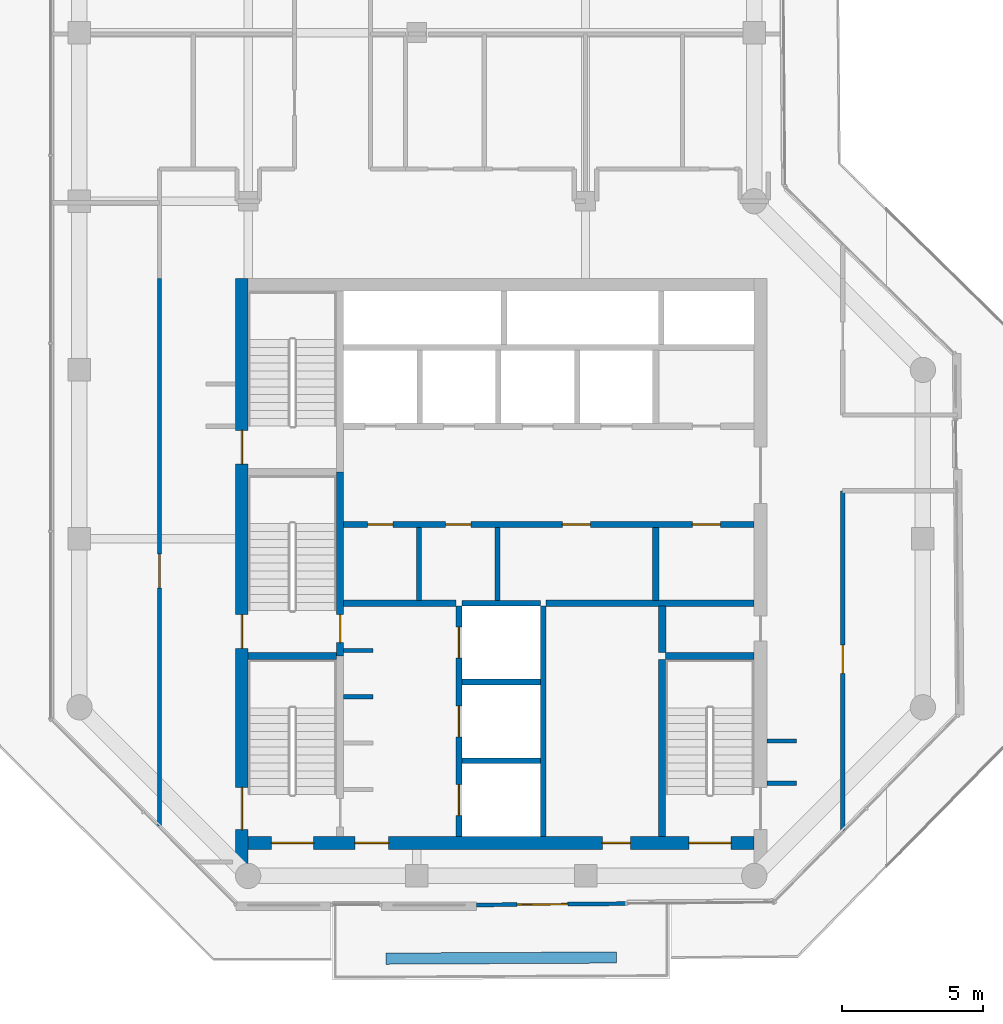
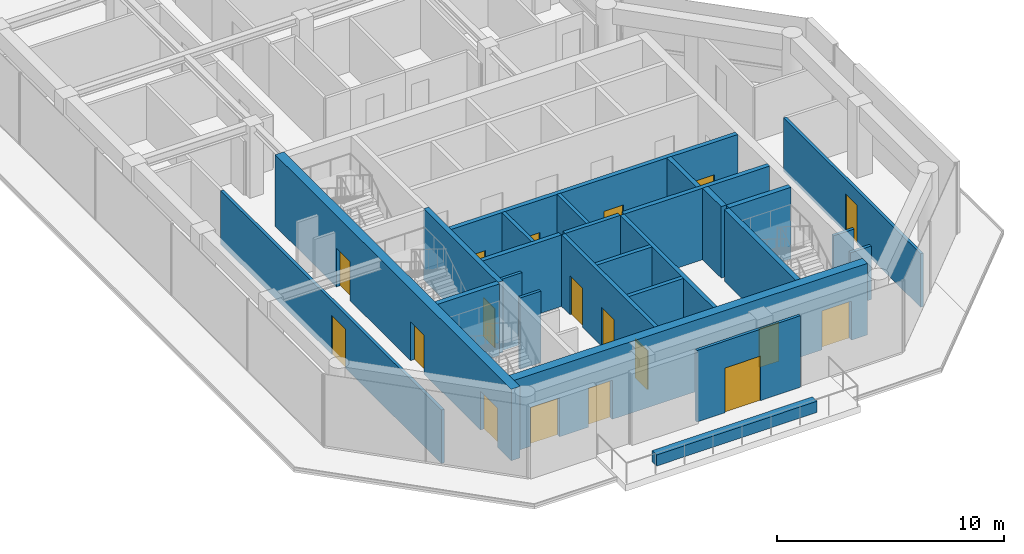
# One storey, part 14 of 19: 26 walls, 18 doors, 18 openings.
"""IFC4 building model written with IfcOpenShell, lengths in metres."""

from ifc_helpers import new_model, si_unit, direction, frame, frame_2d, origin, place, context, subcontext, project, spatial, rectangle, extrude, material, layer, layer_set, type_object, element, fill, save


model = new_model("IFC4")

# Units and contexts
model_context = context("Model", 3, precision=1e-05, world=origin(), true_north=direction((0.0, 1.0)))
body_context = subcontext(model_context, "Body", "Model", "MODEL_VIEW")
ifc_project = project(units=[si_unit("LENGTHUNIT", "METRE"), si_unit("AREAUNIT", "SQUARE_METRE"), si_unit("VOLUMEUNIT", "CUBIC_METRE"), si_unit("PLANEANGLEUNIT", "RADIAN"), si_unit("MASSUNIT", "GRAM", prefix="KILO")], contexts=[model_context])

# Site, building, storey
site_placement = place(None, origin())
site = spatial("IfcSite", under=ifc_project, at=site_placement, CompositionType="ELEMENT")
building_placement = place(site_placement, origin())
building = spatial("IfcBuilding", under=site, at=building_placement, Name="Welwitschia Terrace Campus", CompositionType="ELEMENT")
storey_placement = place(building_placement, frame((0.0, 0.0, 226.39990234375)))
storey = spatial("IfcBuildingStorey", under=building, at=storey_placement, Name="L50", CompositionType="ELEMENT", Elevation=226.39990234375)

# Wall, opening, door
ifc_material_1 = material(Name="Concrete C40/50", Category="concrete")
ifc_layer_1 = layer(ifc_material_1, 0.139892578125)
ifc_layer_set_1 = layer_set([ifc_layer_1], Name="Concrete C40/50")
wall_type_1 = type_object("IfcWallType", Name="Clad wall 140", PredefinedType="SOLIDWALL", material=ifc_layer_set_1)
wall_1_placement = place(storey_placement, frame((14.118896484375, 2.969970703125, 0.0), z_axis=(0.0, 0.0, 1.0), x_axis=(0.999962093881, 0.00870693982, 0.0)))
wall_1 = element("IfcWall", 1, at=wall_1_placement, inside=storey, type_object=wall_type_1, Name="Clad wall L50.terrace door 0", PredefinedType="SOLIDWALL", context=body_context, shape_type="SweptSolid", body=[
    extrude(rectangle(XDim=5.299560546875, YDim=0.139892578125, at=frame_2d((2.64990234375, 0.0))), origin(), (0.0, 0.0, 1.0), 3.85009765625),
])
opening_1_placement = place(wall_1_placement, frame((1.449951171875, 0.0, 0.0)))
opening_1 = element("IfcOpeningElement", 2, at=opening_1_placement, cuts=wall_1, Name="Opening DE3", PredefinedType="OPENING", context=body_context, shape_type="SweptSolid", body=[
    extrude(rectangle(XDim=1.800048828125, YDim=2.39990234375, at=frame_2d((0.89990234375, 1.199951171875))), frame((0.0, 0.079833984375, 0.0), z_axis=(0.0, -1.0, 0.0), x_axis=(1.0, 0.0, 0.0)), (0.0, 0.0, 1.0), 0.159912109375),
])
ifc_material_2 = material(Name="Bronze anodised aluminium and glass", Category="aluminium")
door_type_1 = type_object("IfcDoorType", Name="Terrace door 1800x2400", OperationType="DOUBLE_DOOR_DOUBLE_SWING", PredefinedType="DOOR", material=ifc_material_2)
door_1_placement = place(opening_1_placement, origin())
door_1 = element("IfcDoor", 3, at=door_1_placement, inside=storey, type_object=door_type_1, Name="Door L50:T0", OperationType="DOUBLE_DOOR_DOUBLE_SWING", OverallHeight=2.39990234375, OverallWidth=1.800048828125, PredefinedType="DOOR", context=body_context, shape_type="SweptSolid", body=[
    extrude(rectangle(XDim=1.800048828125, YDim=2.39990234375, at=frame_2d((0.89990234375, 1.199951171875))), frame((0.0, 0.02490234375, 0.0), z_axis=(0.0, -1.0, 0.0), x_axis=(1.0, 0.0, 0.0)), (0.0, 0.0, 1.0), 0.050048828125),
])
fill(opening_1, door_1)

# Walls
ifc_material_3 = material(Name="Concrete C32/40", Category="concrete")
ifc_layer_2 = layer(ifc_material_3, 0.175048828125)
ifc_layer_set_2 = layer_set([ifc_layer_2], Name="Concrete C32/40")
wall_type_2 = type_object("IfcWallType", Name="Core partition 175 Concrete C32/40", PredefinedType="PARTITIONING", material=ifc_layer_set_2)
for number, where, z_axis, x_axis, name in (
    (4, (12.074951171875, 13.800048828125, 0.0), (0.0, 0.0, 1.0), (0.0, 1.0, 0.0), "Core partition"),
    (5, (14.875, 13.800048828125, 0.0), (0.0, 0.0, 1.0), (0.0, 1.0, 0.0), "Core partition"),
):
    element("IfcWall", number, at=place(storey_placement, frame(where, z_axis=z_axis, x_axis=x_axis)), inside=storey, type_object=wall_type_2, Name=name, PredefinedType="PARTITIONING", context=body_context, shape_type="SweptSolid", body=[
        extrude(rectangle(XDim=2.599853515625, YDim=0.175048828125, at=frame_2d((1.2998046875, 0.0))), origin(), (0.0, 0.0, 1.0), 3.85009765625),
    ])
ifc_material_4 = material(Name="Concrete C32/40", Category="concrete")
ifc_layer_3 = layer(ifc_material_4, 0.22509765625)
ifc_layer_set_3 = layer_set([ifc_layer_3], Name="Concrete C32/40")
wall_type_3 = type_object("IfcWallType", Name="Core partition 225 Concrete C32/40", PredefinedType="PARTITIONING", material=ifc_layer_set_3)
wall_2_placement = place(storey_placement, frame((9.39990234375, 13.699951171875, 0.0), z_axis=(0.0, 0.0, 1.0), x_axis=(1.0, 0.0, 0.0)))
element("IfcWall", 6, at=wall_2_placement, inside=storey, type_object=wall_type_3, Name="Core partition", PredefinedType="PARTITIONING", context=body_context, shape_type="SweptSolid", body=[
    extrude(rectangle(XDim=4.0, YDim=0.22509765625, at=frame_2d((2.0, 0.0))), origin(), (0.0, 0.0, 1.0), 3.85009765625),
])
wall_3_placement = place(storey_placement, frame((16.60009765625, 13.699951171875, 0.0), z_axis=(0.0, 0.0, 1.0), x_axis=(1.0, 0.0, 0.0)))
element("IfcWall", 7, at=wall_3_placement, inside=storey, type_object=wall_type_3, Name="Core partition", PredefinedType="PARTITIONING", context=body_context, shape_type="SweptSolid", body=[
    extrude(rectangle(XDim=7.39990234375, YDim=0.22509765625, at=frame_2d((3.699951171875, 0.0))), origin(), (0.0, 0.0, 1.0), 3.85009765625),
])

# Wall, openings, doors
wall_4_placement = place(storey_placement, frame((9.39990234375, 16.5, 0.0), z_axis=(0.0, 0.0, 1.0), x_axis=(1.0, 0.0, 0.0)))
wall_4 = element("IfcWall", 8, at=wall_4_placement, inside=storey, type_object=wall_type_3, Name="Core partition", PredefinedType="PARTITIONING", context=body_context, shape_type="SweptSolid", body=[
    extrude(rectangle(XDim=14.60009765625, YDim=0.22509765625, at=frame_2d((7.300048828125, 0.0))), origin(), (0.0, 0.0, 1.0), 3.85009765625),
])
opening_2_placement = place(wall_4_placement, frame((0.85009765625, 0.0, 0.0)))
opening_2 = element("IfcOpeningElement", 9, at=opening_2_placement, cuts=wall_4, Name="Opening DR09", PredefinedType="OPENING", context=body_context, shape_type="SweptSolid", body=[
    extrude(rectangle(XDim=0.89990234375, YDim=2.10009765625, at=frame_2d((0.449951171875, 1.050048828125))), frame((0.0, 0.12255859375, 0.0), z_axis=(0.0, -1.0, 0.0), x_axis=(1.0, 0.0, 0.0)), (0.0, 0.0, 1.0), 0.2451171875),
])
opening_3_placement = place(wall_4_placement, frame((3.625, 0.0, 0.0)))
opening_3 = element("IfcOpeningElement", 10, at=opening_3_placement, cuts=wall_4, Name="Opening DR09", PredefinedType="OPENING", context=body_context, shape_type="SweptSolid", body=[
    extrude(rectangle(XDim=0.89990234375, YDim=2.10009765625, at=frame_2d((0.449951171875, 1.050048828125))), frame((0.0, 0.12255859375, 0.0), z_axis=(0.0, -1.0, 0.0), x_axis=(1.0, 0.0, 0.0)), (0.0, 0.0, 1.0), 0.2451171875),
])
opening_4_placement = place(wall_4_placement, frame((7.77490234375, 0.0, 0.0)))
opening_4 = element("IfcOpeningElement", 11, at=opening_4_placement, cuts=wall_4, Name="Opening DR10", PredefinedType="OPENING", context=body_context, shape_type="SweptSolid", body=[
    extrude(rectangle(XDim=1.0, YDim=2.10009765625, at=frame_2d((0.5, 1.050048828125))), frame((0.0, 0.12255859375, 0.0), z_axis=(0.0, -1.0, 0.0), x_axis=(1.0, 0.0, 0.0)), (0.0, 0.0, 1.0), 0.2451171875),
])
opening_5_placement = place(wall_4_placement, frame((12.39990234375, 0.0, 0.0)))
opening_5 = element("IfcOpeningElement", 12, at=opening_5_placement, cuts=wall_4, Name="Opening DR10", PredefinedType="OPENING", context=body_context, shape_type="SweptSolid", body=[
    extrude(rectangle(XDim=1.0, YDim=2.10009765625, at=frame_2d((0.5, 1.050048828125))), frame((0.0, 0.12255859375, 0.0), z_axis=(0.0, -1.0, 0.0), x_axis=(1.0, 0.0, 0.0)), (0.0, 0.0, 1.0), 0.2451171875),
])
ifc_material_5 = material(Name="Steel S275", Category="steel")
door_type_2 = type_object("IfcDoorType", Name="Core door DR09", OperationType="SINGLE_SWING_LEFT", PredefinedType="DOOR", material=ifc_material_5)
door_2_placement = place(opening_2_placement, origin())
door_2 = element("IfcDoor", 13, at=door_2_placement, inside=storey, type_object=door_type_2, Name="Door BAYL1-D", OperationType="SINGLE_SWING_LEFT", OverallHeight=2.10009765625, OverallWidth=0.89990234375, PredefinedType="DOOR", context=body_context, shape_type="SweptSolid", body=[
    extrude(rectangle(XDim=0.89990234375, YDim=2.10009765625, at=frame_2d((0.449951171875, 1.050048828125))), frame((0.0, 0.02490234375, 0.0), z_axis=(0.0, -1.0, 0.0), x_axis=(1.0, 0.0, 0.0)), (0.0, 0.0, 1.0), 0.050048828125),
])
fill(opening_2, door_2)
door_3_placement = place(opening_3_placement, origin())
door_3 = element("IfcDoor", 14, at=door_3_placement, inside=storey, type_object=door_type_2, Name="Door BAYL2-D", OperationType="SINGLE_SWING_LEFT", OverallHeight=2.10009765625, OverallWidth=0.89990234375, PredefinedType="DOOR", context=body_context, shape_type="SweptSolid", body=[
    extrude(rectangle(XDim=0.89990234375, YDim=2.10009765625, at=frame_2d((0.449951171875, 1.050048828125))), frame((0.0, 0.02490234375, 0.0), z_axis=(0.0, -1.0, 0.0), x_axis=(1.0, 0.0, 0.0)), (0.0, 0.0, 1.0), 0.050048828125),
])
fill(opening_3, door_3)
ifc_material_6 = material(Name="Steel S275", Category="steel")
door_type_3 = type_object("IfcDoorType", Name="Core door DR10", OperationType="SINGLE_SWING_LEFT", PredefinedType="DOOR", material=ifc_material_6)
door_4_placement = place(opening_4_placement, origin())
door_4 = element("IfcDoor", 15, at=door_4_placement, inside=storey, type_object=door_type_3, Name="Door BAYL3-D", OperationType="SINGLE_SWING_RIGHT", OverallHeight=2.10009765625, OverallWidth=1.0, PredefinedType="DOOR", context=body_context, shape_type="SweptSolid", body=[
    extrude(rectangle(XDim=1.0, YDim=2.10009765625, at=frame_2d((0.5, 1.050048828125))), frame((0.0, 0.02490234375, 0.0), z_axis=(0.0, -1.0, 0.0), x_axis=(1.0, 0.0, 0.0)), (0.0, 0.0, 1.0), 0.050048828125),
])
fill(opening_4, door_4)
door_5_placement = place(opening_5_placement, origin())
door_5 = element("IfcDoor", 16, at=door_5_placement, inside=storey, type_object=door_type_3, Name="Door EL-D", OperationType="SINGLE_SWING_RIGHT", OverallHeight=2.10009765625, OverallWidth=1.0, PredefinedType="DOOR", context=body_context, shape_type="SweptSolid", body=[
    extrude(rectangle(XDim=1.0, YDim=2.10009765625, at=frame_2d((0.5, 1.050048828125))), frame((0.0, 0.02490234375, 0.0), z_axis=(0.0, -1.0, 0.0), x_axis=(1.0, 0.0, 0.0)), (0.0, 0.0, 1.0), 0.050048828125),
])
fill(opening_5, door_5)

# Walls
wall_5_placement = place(storey_placement, frame((20.5, 13.800048828125, 0.0), z_axis=(0.0, 0.0, 1.0), x_axis=(0.0, 1.0, 0.0)))
element("IfcWall", 17, at=wall_5_placement, inside=storey, type_object=wall_type_3, Name="Core partition", PredefinedType="PARTITIONING", context=body_context, shape_type="SweptSolid", body=[
    extrude(rectangle(XDim=2.599853515625, YDim=0.22509765625, at=frame_2d((1.2998046875, 0.0))), origin(), (0.0, 0.0, 1.0), 3.85009765625),
])
ifc_material_7 = material(Name="Concrete C32/40", Category="concrete")
ifc_layer_4 = layer(ifc_material_7, 0.27490234375)
ifc_layer_set_4 = layer_set([ifc_layer_4], Name="Concrete C32/40")
wall_type_4 = type_object("IfcWallType", Name="Core partition 275 Concrete C32/40", PredefinedType="PARTITIONING", material=ifc_layer_set_4)
wall_6_placement = place(storey_placement, frame((20.72509765625, 11.949951171875, 0.0), z_axis=(0.0, 0.0, 1.0), x_axis=(0.0, 1.0, 0.0)))
element("IfcWall", 18, at=wall_6_placement, inside=storey, type_object=wall_type_4, Name="Core partition", PredefinedType="PARTITIONING", context=body_context, shape_type="SweptSolid", body=[
    extrude(rectangle(XDim=1.650146484375, YDim=0.27490234375, at=frame_2d((0.8251953125, 0.0))), origin(), (0.0, 0.0, 1.0), 3.85009765625),
])
ifc_material_8 = material(Name="Concrete C50/60", Category="concrete")
ifc_layer_5 = layer(ifc_material_8, 0.14990234375)
ifc_layer_set_5 = layer_set([ifc_layer_5], Name="Concrete C50/60")
wall_type_5 = type_object("IfcWallType", Name="Core wall 150 Concrete C50/60", PredefinedType="SHEAR", material=ifc_layer_set_5)
for number, where, z_axis, x_axis, name in (
    (19, (9.39990234375, 10.375, 0.0), (0.0, 0.0, 1.0), (1.0, 0.0, 0.0), "Core wall"),
    (20, (9.39990234375, 12.02490234375, 0.0), (0.0, 0.0, 1.0), (1.0, 0.0, 0.0), "Core wall"),
):
    element("IfcWall", number, at=place(storey_placement, frame(where, z_axis=z_axis, x_axis=x_axis)), inside=storey, type_object=wall_type_5, Name=name, PredefinedType="SHEAR", context=body_context, shape_type="SweptSolid", body=[
        extrude(rectangle(XDim=1.050048828125, YDim=0.14990234375, at=frame_2d((0.52490234375, 0.0))), origin(), (0.0, 0.0, 1.0), 3.85009765625),
    ])
ifc_material_9 = material(Name="Concrete C50/60", Category="concrete")
ifc_layer_6 = layer(ifc_material_9, 0.199951171875)
ifc_layer_set_6 = layer_set([ifc_layer_6], Name="Concrete C50/60")
wall_type_6 = type_object("IfcWallType", Name="Core wall 200 Concrete C50/60", PredefinedType="SHEAR", material=ifc_layer_set_6)
for number, where, z_axis, x_axis, name in (
    (21, (13.60009765625, 8.10009765625, 0.0), (0.0, 0.0, 1.0), (1.0, 0.0, 0.0), "Core wall"),
    (22, (13.60009765625, 10.89990234375, 0.0), (0.0, 0.0, 1.0), (1.0, 0.0, 0.0), "Core wall"),
    (23, (13.60009765625, 13.699951171875, 0.0), (0.0, 0.0, 1.0), (1.0, 0.0, 0.0), "Core wall"),
):
    element("IfcWall", number, at=place(storey_placement, frame(where, z_axis=z_axis, x_axis=x_axis)), inside=storey, type_object=wall_type_6, Name=name, PredefinedType="SHEAR", context=body_context, shape_type="SweptSolid", body=[
        extrude(rectangle(XDim=2.7998046875, YDim=0.199951171875, at=frame_2d((1.39990234375, 0.0))), origin(), (0.0, 0.0, 1.0), 3.85009765625),
    ])

# Wall, openings, doors
wall_7_placement = place(storey_placement, frame((13.5, 5.39990234375, 0.0), z_axis=(0.0, 0.0, 1.0), x_axis=(0.0, 1.0, 0.0)))
wall_7 = element("IfcWall", 24, at=wall_7_placement, inside=storey, type_object=wall_type_6, Name="Core wall", PredefinedType="SHEAR", context=body_context, shape_type="SweptSolid", body=[
    extrude(rectangle(XDim=8.2001953125, YDim=0.199951171875, at=frame_2d((4.10009765625, 0.0))), origin(), (0.0, 0.0, 1.0), 3.85009765625),
])
opening_6_placement = place(wall_7_placement, frame((0.75, 0.0, 0.0)))
opening_6 = element("IfcOpeningElement", 25, at=opening_6_placement, cuts=wall_7, Name="Opening LD", PredefinedType="OPENING", context=body_context, shape_type="SweptSolid", body=[
    extrude(rectangle(XDim=1.10009765625, YDim=2.10009765625, at=frame_2d((0.550048828125, 1.050048828125))), frame((0.0, 0.10986328125, 0.0), z_axis=(0.0, -1.0, 0.0), x_axis=(1.0, 0.0, 0.0)), (0.0, 0.0, 1.0), 0.219970703125),
])
opening_7_placement = place(wall_7_placement, frame((3.550048828125, 0.0, 0.0)))
opening_7 = element("IfcOpeningElement", 26, at=opening_7_placement, cuts=wall_7, Name="Opening LD", PredefinedType="OPENING", context=body_context, shape_type="SweptSolid", body=[
    extrude(rectangle(XDim=1.10009765625, YDim=2.10009765625, at=frame_2d((0.550048828125, 1.050048828125))), frame((0.0, 0.10986328125, 0.0), z_axis=(0.0, -1.0, 0.0), x_axis=(1.0, 0.0, 0.0)), (0.0, 0.0, 1.0), 0.219970703125),
])
opening_8_placement = place(wall_7_placement, frame((6.35009765625, 0.0, 0.0)))
opening_8 = element("IfcOpeningElement", 27, at=opening_8_placement, cuts=wall_7, Name="Opening LD", PredefinedType="OPENING", context=body_context, shape_type="SweptSolid", body=[
    extrude(rectangle(XDim=1.10009765625, YDim=2.10009765625, at=frame_2d((0.550048828125, 1.050048828125))), frame((0.0, 0.10986328125, 0.0), z_axis=(0.0, -1.0, 0.0), x_axis=(1.0, 0.0, 0.0)), (0.0, 0.0, 1.0), 0.219970703125),
])
ifc_material_10 = material(Name="Stainless steel 304", Category="steel")
door_type_4 = type_object("IfcDoorType", Name="Lift landing door", OperationType="DOUBLE_DOOR_SLIDING", PredefinedType="DOOR", material=ifc_material_10)
door_6_placement = place(opening_6_placement, origin())
door_6 = element("IfcDoor", 28, at=door_6_placement, inside=storey, type_object=door_type_4, Name="Landing door FF1", OperationType="DOUBLE_DOOR_SLIDING", OverallHeight=2.10009765625, OverallWidth=1.10009765625, PredefinedType="DOOR", context=body_context, shape_type="SweptSolid", body=[
    extrude(rectangle(XDim=1.10009765625, YDim=2.10009765625, at=frame_2d((0.550048828125, 1.050048828125))), frame((0.0, 0.02490234375, 0.0), z_axis=(0.0, -1.0, 0.0), x_axis=(1.0, 0.0, 0.0)), (0.0, 0.0, 1.0), 0.050048828125),
])
fill(opening_6, door_6)
door_7_placement = place(opening_7_placement, origin())
door_7 = element("IfcDoor", 29, at=door_7_placement, inside=storey, type_object=door_type_4, Name="Landing door FF2", OperationType="DOUBLE_DOOR_SLIDING", OverallHeight=2.10009765625, OverallWidth=1.10009765625, PredefinedType="DOOR", context=body_context, shape_type="SweptSolid", body=[
    extrude(rectangle(XDim=1.10009765625, YDim=2.10009765625, at=frame_2d((0.550048828125, 1.050048828125))), frame((0.0, 0.02490234375, 0.0), z_axis=(0.0, -1.0, 0.0), x_axis=(1.0, 0.0, 0.0)), (0.0, 0.0, 1.0), 0.050048828125),
])
fill(opening_7, door_7)
door_8_placement = place(opening_8_placement, origin())
door_8 = element("IfcDoor", 30, at=door_8_placement, inside=storey, type_object=door_type_4, Name="Landing door SV1", OperationType="DOUBLE_DOOR_SLIDING", OverallHeight=2.10009765625, OverallWidth=1.10009765625, PredefinedType="DOOR", context=body_context, shape_type="SweptSolid", body=[
    extrude(rectangle(XDim=1.10009765625, YDim=2.10009765625, at=frame_2d((0.550048828125, 1.050048828125))), frame((0.0, 0.02490234375, 0.0), z_axis=(0.0, -1.0, 0.0), x_axis=(1.0, 0.0, 0.0)), (0.0, 0.0, 1.0), 0.050048828125),
])
fill(opening_8, door_8)

# Walls
wall_8_placement = place(storey_placement, frame((16.5, 5.39990234375, 0.0), z_axis=(0.0, 0.0, 1.0), x_axis=(0.0, 1.0, 0.0)))
element("IfcWall", 31, at=wall_8_placement, inside=storey, type_object=wall_type_6, Name="Core wall", PredefinedType="SHEAR", context=body_context, shape_type="SweptSolid", body=[
    extrude(rectangle(XDim=8.2001953125, YDim=0.199951171875, at=frame_2d((4.10009765625, 0.0))), origin(), (0.0, 0.0, 1.0), 3.85009765625),
])
ifc_material_11 = material(Name="Concrete C50/60", Category="concrete")
ifc_layer_7 = layer(ifc_material_11, 0.25)
ifc_layer_set_7 = layer_set([ifc_layer_7], Name="Concrete C50/60")
wall_type_7 = type_object("IfcWallType", Name="Core wall 250 Concrete C50/60", PredefinedType="SHEAR", material=ifc_layer_set_7)
for number, where, z_axis, x_axis, name in (
    (32, (6.0, 11.824951171875, 0.0), (0.0, 0.0, 1.0), (1.0, 0.0, 0.0), "Core wall"),
    (33, (20.85009765625, 11.824951171875, 0.0), (0.0, 0.0, 1.0), (1.0, 0.0, 0.0), "Core wall"),
):
    element("IfcWall", number, at=place(storey_placement, frame(where, z_axis=z_axis, x_axis=x_axis)), inside=storey, type_object=wall_type_7, Name=name, PredefinedType="SHEAR", context=body_context, shape_type="SweptSolid", body=[
        extrude(rectangle(XDim=3.14990234375, YDim=0.25, at=frame_2d((1.574951171875, 0.0))), origin(), (0.0, 0.0, 1.0), 3.85009765625),
    ])

# Wall, opening, door
wall_9_placement = place(storey_placement, frame((9.27490234375, 18.375, 0.0), z_axis=(0.0, 0.0, 1.0), x_axis=(0.0, -1.0, 0.0)))
wall_9 = element("IfcWall", 34, at=wall_9_placement, inside=storey, type_object=wall_type_7, Name="Core wall", PredefinedType="SHEAR", context=body_context, shape_type="SweptSolid", body=[
    extrude(rectangle(XDim=6.550048828125, YDim=0.25, at=frame_2d((3.27490234375, 0.0))), origin(), (0.0, 0.0, 1.0), 3.85009765625),
])
opening_9_placement = place(wall_9_placement, frame((5.074951171875, 0.0, 0.0)))
opening_9 = element("IfcOpeningElement", 35, at=opening_9_placement, cuts=wall_9, Name="Opening DS10", PredefinedType="OPENING", context=body_context, shape_type="SweptSolid", body=[
    extrude(rectangle(XDim=1.0, YDim=2.10009765625, at=frame_2d((0.5, 1.050048828125))), frame((0.0, 0.135009765625, 0.0), z_axis=(0.0, -1.0, 0.0), x_axis=(1.0, 0.0, 0.0)), (0.0, 0.0, 1.0), 0.27001953125),
])
ifc_material_12 = material(Name="Steel S275", Category="steel")
door_type_5 = type_object("IfcDoorType", Name="Core door DS10", OperationType="SINGLE_SWING_LEFT", PredefinedType="DOOR", material=ifc_material_12)
door_9_placement = place(opening_9_placement, origin())
door_9 = element("IfcDoor", 36, at=door_9_placement, inside=storey, type_object=door_type_5, Name="Door S3-FL", OperationType="SINGLE_SWING_RIGHT", OverallHeight=2.10009765625, OverallWidth=1.0, PredefinedType="DOOR", context=body_context, shape_type="SweptSolid", body=[
    extrude(rectangle(XDim=1.0, YDim=2.10009765625, at=frame_2d((0.5, 1.050048828125))), frame((0.0, 0.02490234375, 0.0), z_axis=(0.0, -1.0, 0.0), x_axis=(1.0, 0.0, 0.0)), (0.0, 0.0, 1.0), 0.050048828125),
])
fill(opening_9, door_9)

# Wall
wall_10_placement = place(storey_placement, frame((20.72509765625, 5.39990234375, 0.0), z_axis=(0.0, 0.0, 1.0), x_axis=(0.0, 1.0, 0.0)))
element("IfcWall", 37, at=wall_10_placement, inside=storey, type_object=wall_type_7, Name="Core wall", PredefinedType="SHEAR", context=body_context, shape_type="SweptSolid", body=[
    extrude(rectangle(XDim=6.300048828125, YDim=0.25, at=frame_2d((3.14990234375, 0.0))), origin(), (0.0, 0.0, 1.0), 3.85009765625),
])

# Wall, openings, doors
ifc_material_13 = material(Name="Concrete C60/75", Category="concrete")
ifc_layer_8 = layer(ifc_material_13, 0.449951171875)
ifc_layer_set_8 = layer_set([ifc_layer_8], Name="Concrete C60/75")
wall_type_8 = type_object("IfcWallType", Name="Core wall 450 Concrete C60/75", PredefinedType="SHEAR", material=ifc_layer_set_8)
wall_11_placement = place(storey_placement, frame((5.77490234375, 4.419921875, 0.0), z_axis=(0.0, 0.0, 1.0), x_axis=(0.0, 1.0, 0.0)))
wall_11 = element("IfcWall", 38, at=wall_11_placement, inside=storey, type_object=wall_type_8, Name="Core outer wall", PredefinedType="SHEAR", context=body_context, shape_type="SweptSolid", body=[
    extrude(rectangle(XDim=20.830078125, YDim=0.449951171875, at=frame_2d((10.4150390625, 0.0))), origin(), (0.0, 0.0, 1.0), 3.85009765625),
])
opening_10_placement = place(wall_11_placement, frame((1.22998046875, 0.0, 0.0)))
opening_10 = element("IfcOpeningElement", 39, at=opening_10_placement, cuts=wall_11, Name="Opening DS15", PredefinedType="OPENING", context=body_context, shape_type="SweptSolid", body=[
    extrude(rectangle(XDim=1.5, YDim=2.10009765625, at=frame_2d((0.75, 1.050048828125))), frame((0.0, 0.23486328125, 0.0), z_axis=(0.0, -1.0, 0.0), x_axis=(1.0, 0.0, 0.0)), (0.0, 0.0, 1.0), 0.469970703125),
])
opening_11_placement = place(wall_11_placement, frame((7.679931640625, 0.0, 0.0)))
opening_11 = element("IfcOpeningElement", 40, at=opening_11_placement, cuts=wall_11, Name="Opening DS12", PredefinedType="OPENING", context=body_context, shape_type="SweptSolid", body=[
    extrude(rectangle(XDim=1.199951171875, YDim=2.10009765625, at=frame_2d((0.60009765625, 1.050048828125))), frame((0.0, 0.23486328125, 0.0), z_axis=(0.0, -1.0, 0.0), x_axis=(1.0, 0.0, 0.0)), (0.0, 0.0, 1.0), 0.469970703125),
])
opening_12_placement = place(wall_11_placement, frame((14.22998046875, 0.0, 0.0)))
opening_12 = element("IfcOpeningElement", 41, at=opening_12_placement, cuts=wall_11, Name="Opening DS12", PredefinedType="OPENING", context=body_context, shape_type="SweptSolid", body=[
    extrude(rectangle(XDim=1.199951171875, YDim=2.10009765625, at=frame_2d((0.60009765625, 1.050048828125))), frame((0.0, 0.23486328125, 0.0), z_axis=(0.0, -1.0, 0.0), x_axis=(1.0, 0.0, 0.0)), (0.0, 0.0, 1.0), 0.469970703125),
])
ifc_material_14 = material(Name="Steel S275", Category="steel")
door_type_6 = type_object("IfcDoorType", Name="Core door DS12", OperationType="SINGLE_SWING_LEFT", PredefinedType="DOOR", material=ifc_material_14)
door_10_placement = place(opening_11_placement, origin())
door_10 = element("IfcDoor", 42, at=door_10_placement, inside=storey, type_object=door_type_6, Name="Door S3-out", OperationType="SINGLE_SWING_LEFT", OverallHeight=2.10009765625, OverallWidth=1.199951171875, PredefinedType="DOOR", context=body_context, shape_type="SweptSolid", body=[
    extrude(rectangle(XDim=1.199951171875, YDim=2.10009765625, at=frame_2d((0.60009765625, 1.050048828125))), frame((0.0, 0.02490234375, 0.0), z_axis=(0.0, -1.0, 0.0), x_axis=(1.0, 0.0, 0.0)), (0.0, 0.0, 1.0), 0.050048828125),
])
fill(opening_11, door_10)
door_11_placement = place(opening_12_placement, origin())
door_11 = element("IfcDoor", 43, at=door_11_placement, inside=storey, type_object=door_type_6, Name="Door S4-out", OperationType="SINGLE_SWING_RIGHT", OverallHeight=2.10009765625, OverallWidth=1.199951171875, PredefinedType="DOOR", context=body_context, shape_type="SweptSolid", body=[
    extrude(rectangle(XDim=1.199951171875, YDim=2.10009765625, at=frame_2d((0.60009765625, 1.050048828125))), frame((0.0, 0.02490234375, 0.0), z_axis=(0.0, -1.0, 0.0), x_axis=(1.0, 0.0, 0.0)), (0.0, 0.0, 1.0), 0.050048828125),
])
fill(opening_12, door_11)
ifc_material_15 = material(Name="Steel S275", Category="steel")
door_type_7 = type_object("IfcDoorType", Name="Core door DS15", OperationType="DOUBLE_DOOR_SINGLE_SWING", PredefinedType="DOOR", material=ifc_material_15)
door_12_placement = place(opening_10_placement, origin())
door_12 = element("IfcDoor", 44, at=door_12_placement, inside=storey, type_object=door_type_7, Name="Door S1-out", OperationType="DOUBLE_DOOR_SINGLE_SWING", OverallHeight=2.10009765625, OverallWidth=1.5, PredefinedType="DOOR", context=body_context, shape_type="SweptSolid", body=[
    extrude(rectangle(XDim=1.5, YDim=2.10009765625, at=frame_2d((0.75, 1.050048828125))), frame((0.0, 0.02490234375, 0.0), z_axis=(0.0, -1.0, 0.0), x_axis=(1.0, 0.0, 0.0)), (0.0, 0.0, 1.0), 0.050048828125),
])
fill(opening_10, door_12)

wall_12_placement = place(storey_placement, frame((24.0, 5.175048828125, 0.0), z_axis=(0.0, 0.0, 1.0), x_axis=(-1.0, 0.0, 0.0)))
wall_12 = element("IfcWall", 45, at=wall_12_placement, inside=storey, type_object=wall_type_8, Name="Core outer wall", PredefinedType="SHEAR", context=body_context, shape_type="SweptSolid", body=[
    extrude(rectangle(XDim=18.0, YDim=0.449951171875, at=frame_2d((9.0, 0.0))), origin(), (0.0, 0.0, 1.0), 3.85009765625),
])
opening_13_placement = place(wall_12_placement, frame((0.824951171875, 0.0, 0.0)))
opening_13 = element("IfcOpeningElement", 46, at=opening_13_placement, cuts=wall_12, Name="Opening DS15", PredefinedType="OPENING", context=body_context, shape_type="SweptSolid", body=[
    extrude(rectangle(XDim=1.5, YDim=2.10009765625, at=frame_2d((0.75, 1.050048828125))), frame((0.0, 0.23486328125, 0.0), z_axis=(0.0, -1.0, 0.0), x_axis=(1.0, 0.0, 0.0)), (0.0, 0.0, 1.0), 0.469970703125),
])
opening_14_placement = place(wall_12_placement, frame((15.675048828125, 0.0, 0.0)))
opening_14 = element("IfcOpeningElement", 47, at=opening_14_placement, cuts=wall_12, Name="Opening DS15", PredefinedType="OPENING", context=body_context, shape_type="SweptSolid", body=[
    extrude(rectangle(XDim=1.5, YDim=2.10009765625, at=frame_2d((0.75, 1.050048828125))), frame((0.0, 0.23486328125, 0.0), z_axis=(0.0, -1.0, 0.0), x_axis=(1.0, 0.0, 0.0)), (0.0, 0.0, 1.0), 0.469970703125),
])
opening_15_placement = place(wall_12_placement, frame((13.0, 0.0, 0.0)))
opening_15 = element("IfcOpeningElement", 48, at=opening_15_placement, cuts=wall_12, Name="Opening DF12", PredefinedType="OPENING", context=body_context, shape_type="SweptSolid", body=[
    extrude(rectangle(XDim=1.199951171875, YDim=2.10009765625, at=frame_2d((0.60009765625, 1.050048828125))), frame((0.0, 0.23486328125, 0.0), z_axis=(0.0, -1.0, 0.0), x_axis=(1.0, 0.0, 0.0)), (0.0, 0.0, 1.0), 0.469970703125),
])
opening_16_placement = place(wall_12_placement, frame((4.39990234375, 0.0, 0.0)))
opening_16 = element("IfcOpeningElement", 49, at=opening_16_placement, cuts=wall_12, Name="Opening DR10", PredefinedType="OPENING", context=body_context, shape_type="SweptSolid", body=[
    extrude(rectangle(XDim=1.0, YDim=2.10009765625, at=frame_2d((0.5, 1.050048828125))), frame((0.0, 0.23486328125, 0.0), z_axis=(0.0, -1.0, 0.0), x_axis=(1.0, 0.0, 0.0)), (0.0, 0.0, 1.0), 0.469970703125),
])
ifc_material_16 = material(Name="Steel S275", Category="steel")
door_type_8 = type_object("IfcDoorType", Name="Core door DF12", OperationType="SINGLE_SWING_LEFT", PredefinedType="DOOR", material=ifc_material_16)
door_13_placement = place(opening_15_placement, origin())
door_13 = element("IfcDoor", 50, at=door_13_placement, inside=storey, type_object=door_type_8, Name="Door FL-out", OperationType="SINGLE_SWING_RIGHT", OverallHeight=2.10009765625, OverallWidth=1.199951171875, PredefinedType="DOOR", context=body_context, shape_type="SweptSolid", body=[
    extrude(rectangle(XDim=1.199951171875, YDim=2.10009765625, at=frame_2d((0.60009765625, 1.050048828125))), frame((0.0, 0.02490234375, 0.0), z_axis=(0.0, -1.0, 0.0), x_axis=(1.0, 0.0, 0.0)), (0.0, 0.0, 1.0), 0.050048828125),
])
fill(opening_15, door_13)
door_14_placement = place(opening_16_placement, origin())
door_14 = element("IfcDoor", 51, at=door_14_placement, inside=storey, type_object=door_type_3, Name="Door F1-out", OperationType="SINGLE_SWING_LEFT", OverallHeight=2.10009765625, OverallWidth=1.0, PredefinedType="DOOR", context=body_context, shape_type="SweptSolid", body=[
    extrude(rectangle(XDim=1.0, YDim=2.10009765625, at=frame_2d((0.5, 1.050048828125))), frame((0.0, 0.02490234375, 0.0), z_axis=(0.0, -1.0, 0.0), x_axis=(1.0, 0.0, 0.0)), (0.0, 0.0, 1.0), 0.050048828125),
])
fill(opening_16, door_14)
door_15_placement = place(opening_13_placement, origin())
door_15 = element("IfcDoor", 52, at=door_15_placement, inside=storey, type_object=door_type_7, Name="Door S2-outS", OperationType="DOUBLE_DOOR_SINGLE_SWING", OverallHeight=2.10009765625, OverallWidth=1.5, PredefinedType="DOOR", context=body_context, shape_type="SweptSolid", body=[
    extrude(rectangle(XDim=1.5, YDim=2.10009765625, at=frame_2d((0.75, 1.050048828125))), frame((0.0, 0.02490234375, 0.0), z_axis=(0.0, -1.0, 0.0), x_axis=(1.0, 0.0, 0.0)), (0.0, 0.0, 1.0), 0.050048828125),
])
fill(opening_13, door_15)
door_16_placement = place(opening_14_placement, origin())
door_16 = element("IfcDoor", 53, at=door_16_placement, inside=storey, type_object=door_type_7, Name="Door S1-outS", OperationType="DOUBLE_DOOR_SINGLE_SWING", OverallHeight=2.10009765625, OverallWidth=1.5, PredefinedType="DOOR", context=body_context, shape_type="SweptSolid", body=[
    extrude(rectangle(XDim=1.5, YDim=2.10009765625, at=frame_2d((0.75, 1.050048828125))), frame((0.0, 0.02490234375, 0.0), z_axis=(0.0, -1.0, 0.0), x_axis=(1.0, 0.0, 0.0)), (0.0, 0.0, 1.0), 0.050048828125),
])
fill(opening_14, door_16)

# Wall, opening, door
ifc_material_17 = material(Name="Gypsum board on steel studs", Category="steel")
ifc_layer_9 = layer(ifc_material_17, 0.14990234375)
ifc_layer_set_9 = layer_set([ifc_layer_9], Name="Gypsum board on steel studs")
wall_type_9 = type_object("IfcWallType", Name="Corridor partition 150 EI 30", PredefinedType="PARTITIONING", material=ifc_layer_set_9)
wall_13_placement = place(storey_placement, frame((2.85009765625, 5.77001953125, 0.0), z_axis=(0.0, 0.0, 1.0), x_axis=(0.0, 1.0, 0.0)))
wall_13 = element("IfcWall", 54, at=wall_13_placement, inside=storey, type_object=wall_type_9, Name="Partition", PredefinedType="PARTITIONING", context=body_context, shape_type="SweptSolid", body=[
    extrude(rectangle(XDim=19.47998046875, YDim=0.14990234375, at=frame_2d((9.739990234375, 0.0))), origin(), (0.0, 0.0, 1.0), 2.880126953125),
])
opening_17_placement = place(wall_13_placement, frame((8.47998046875, 0.0, 0.0)))
opening_17 = element("IfcOpeningElement", 55, at=opening_17_placement, cuts=wall_13, Name="Opening DI12", PredefinedType="OPENING", context=body_context, shape_type="SweptSolid", body=[
    extrude(rectangle(XDim=1.199951171875, YDim=2.10009765625, at=frame_2d((0.60009765625, 1.050048828125))), frame((0.0, 0.0849609375, 0.0), z_axis=(0.0, -1.0, 0.0), x_axis=(1.0, 0.0, 0.0)), (0.0, 0.0, 1.0), 0.169921875),
])
ifc_material_18 = material(Name="Timber veneered door", Category="wood")
door_type_9 = type_object("IfcDoorType", Name="Interior door DI12", OperationType="NOTDEFINED", PredefinedType="DOOR", material=ifc_material_18)
door_17_placement = place(opening_17_placement, origin())
door_17 = element("IfcDoor", 56, at=door_17_placement, inside=storey, type_object=door_type_9, Name="Door L50 931", OperationType="SINGLE_SWING_RIGHT", OverallHeight=2.10009765625, OverallWidth=1.199951171875, PredefinedType="DOOR", context=body_context, shape_type="SweptSolid", body=[
    extrude(rectangle(XDim=1.199951171875, YDim=2.10009765625, at=frame_2d((0.60009765625, 1.050048828125))), frame((0.0, 0.02490234375, 0.0), z_axis=(0.0, -1.0, 0.0), x_axis=(1.0, 0.0, 0.0)), (0.0, 0.0, 1.0), 0.050048828125),
])
fill(opening_17, door_17)

# Walls
for number, where, z_axis, x_axis, name in (
    (57, (24.449951171875, 7.300048828125, 0.0), (0.0, 0.0, 1.0), (1.0, 0.0, 0.0), "Partition"),
    (58, (24.449951171875, 8.800048828125, 0.0), (0.0, 0.0, 1.0), (1.0, 0.0, 0.0), "Partition"),
):
    element("IfcWall", number, at=place(storey_placement, frame(where, z_axis=z_axis, x_axis=x_axis)), inside=storey, type_object=wall_type_9, Name=name, PredefinedType="PARTITIONING", context=body_context, shape_type="SweptSolid", body=[
        extrude(rectangle(XDim=1.050048828125, YDim=0.14990234375, at=frame_2d((0.52490234375, 0.0))), origin(), (0.0, 0.0, 1.0), 2.880126953125),
    ])

# Wall, opening, door
wall_14_placement = place(storey_placement, frame((27.14990234375, 17.699951171875, 0.0), z_axis=(0.0, 0.0, 1.0), x_axis=(0.0, -1.0, 0.0)))
wall_14 = element("IfcWall", 59, at=wall_14_placement, inside=storey, type_object=wall_type_9, Name="Partition", PredefinedType="PARTITIONING", context=body_context, shape_type="SweptSolid", body=[
    extrude(rectangle(XDim=12.08984375, YDim=0.14990234375, at=frame_2d((6.044921875, 0.0))), origin(), (0.0, 0.0, 1.0), 2.880126953125),
])
opening_18_placement = place(wall_14_placement, frame((5.489990234375, 0.0, 0.0)))
opening_18 = element("IfcOpeningElement", 60, at=opening_18_placement, cuts=wall_14, Name="Opening DI10", PredefinedType="OPENING", context=body_context, shape_type="SweptSolid", body=[
    extrude(rectangle(XDim=1.0, YDim=2.10009765625, at=frame_2d((0.5, 1.050048828125))), frame((0.0, 0.0849609375, 0.0), z_axis=(0.0, -1.0, 0.0), x_axis=(1.0, 0.0, 0.0)), (0.0, 0.0, 1.0), 0.169921875),
])
ifc_material_19 = material(Name="Timber veneered door", Category="wood")
door_type_10 = type_object("IfcDoorType", Name="Interior door DI10", OperationType="NOTDEFINED", PredefinedType="DOOR", material=ifc_material_19)
door_18_placement = place(opening_18_placement, origin())
door_18 = element("IfcDoor", 61, at=door_18_placement, inside=storey, type_object=door_type_10, Name="Door L50 946", OperationType="SINGLE_SWING_LEFT", OverallHeight=2.10009765625, OverallWidth=1.0, PredefinedType="DOOR", context=body_context, shape_type="SweptSolid", body=[
    extrude(rectangle(XDim=1.0, YDim=2.10009765625, at=frame_2d((0.5, 1.050048828125))), frame((0.0, 0.02490234375, 0.0), z_axis=(0.0, -1.0, 0.0), x_axis=(1.0, 0.0, 0.0)), (0.0, 0.0, 1.0), 0.050048828125),
])
fill(opening_18, door_18)

# Wall
ifc_material_20 = material(Name="Concrete C40/50", Category="concrete")
ifc_layer_10 = layer(ifc_material_20, 0.39990234375)
ifc_layer_set_10 = layer_set([ifc_layer_10], Name="Concrete C40/50")
wall_type_10 = type_object("IfcWallType", Name="Planter wall 400", PredefinedType="SOLIDWALL", material=ifc_layer_set_10)
wall_15_placement = place(storey_placement, frame((19.0966796875, 1.1005859375, 0.0), z_axis=(0.0, 0.0, 1.0), x_axis=(-0.999987490556, -0.005001872701, 0.0)))
element("IfcWall", 62, at=wall_15_placement, inside=storey, type_object=wall_type_10, Name="PLANTER", PredefinedType="SOLIDWALL", context=body_context, shape_type="SweptSolid", body=[
    extrude(rectangle(XDim=8.199951171875, YDim=0.39990234375, at=frame_2d((4.10009765625, 0.0))), origin(), (0.0, 0.0, 1.0), 0.60009765625),
])

save(model, "model.ifc")
